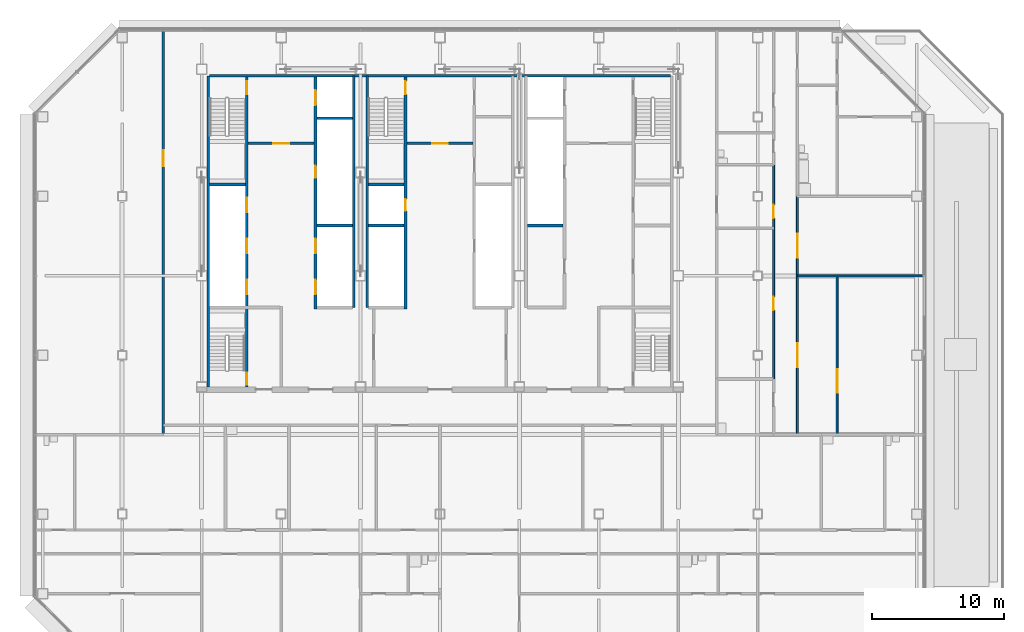
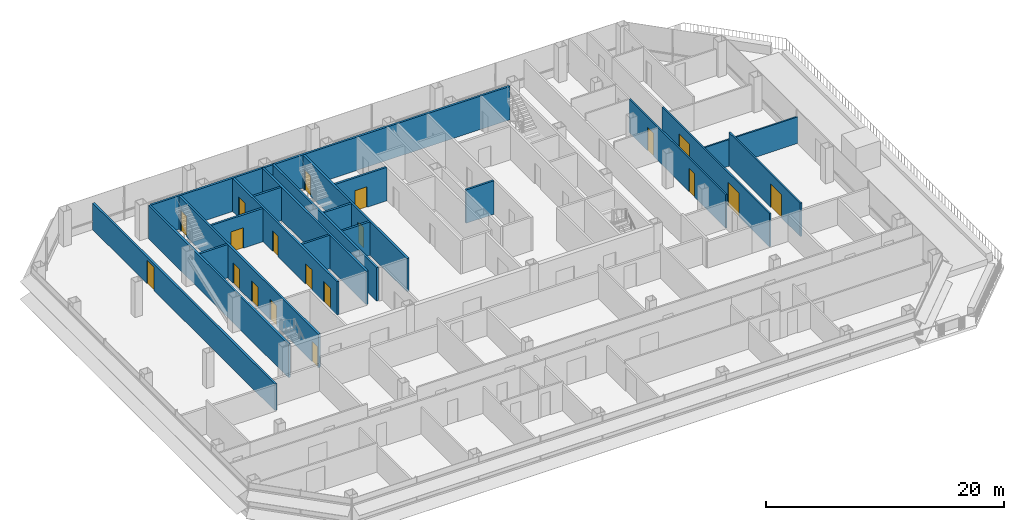
# One storey, part 19 of 28: 20 walls, 19 doors, 19 openings.
"""IFC4 building model written with IfcOpenShell, lengths in metres."""

from ifc_helpers import new_model, si_unit, direction, frame, frame_2d, origin, place, context, subcontext, project, spatial, rectangle, extrude, material, layer, layer_set, type_object, element, fill, save


model = new_model("IFC4")

# Units and contexts
model_context = context("Model", 3, precision=1e-05, world=origin(), true_north=direction((0.0, 1.0)))
body_context = subcontext(model_context, "Body", "Model", "MODEL_VIEW")
ifc_project = project(units=[si_unit("LENGTHUNIT", "METRE"), si_unit("AREAUNIT", "SQUARE_METRE"), si_unit("VOLUMEUNIT", "CUBIC_METRE"), si_unit("PLANEANGLEUNIT", "RADIAN"), si_unit("MASSUNIT", "GRAM", prefix="KILO")], contexts=[model_context])

# Site, building, storey
site_placement = place(None, origin())
site = spatial("IfcSite", under=ifc_project, at=site_placement, CompositionType="ELEMENT")
building_placement = place(site_placement, origin())
building = spatial("IfcBuilding", under=site, at=building_placement, Name="Sorahane Residences", CompositionType="ELEMENT")
storey_placement = place(building_placement, frame((0.0, 0.0, 96.199951171875)))
storey = spatial("IfcBuildingStorey", under=building, at=storey_placement, Name="L20", CompositionType="ELEMENT", Elevation=96.199951171875)

# Walls
ifc_material_1 = material(Name="Concrete C30", Category="concrete")
ifc_layer_1 = layer(ifc_material_1, 0.199951171875)
ifc_layer_set_1 = layer_set([ifc_layer_1], Name="Core face wall 200 EI 180")
wall_type_1 = type_object("IfcWallType", Name="Core face wall 200 EI 180", PredefinedType="SOLIDWALL", material=ifc_layer_set_1)
wall_1_placement = place(storey_placement, frame((6.5, 21.60009765625, 0.0), z_axis=(0.0, 0.0, 1.0), x_axis=(0.0, 1.0, 0.0)))
element("IfcWall", 1, at=wall_1_placement, inside=storey, type_object=wall_type_1, Name="L20 core face wall", PredefinedType="SOLIDWALL", context=body_context, shape_type="SweptSolid", body=[
    extrude(rectangle(XDim=23.5, YDim=0.199951171875, at=frame_2d((11.75, 0.0))), origin(), (0.0, 0.0, 1.0), 3.420166015625),
])
wall_2_placement = place(storey_placement, frame((6.60009765625, 45.10009765625, 0.0), z_axis=(0.0, 0.0, 1.0), x_axis=(1.0, 0.0, 0.0)))
element("IfcWall", 2, at=wall_2_placement, inside=storey, type_object=wall_type_1, Name="L20 core face wall", PredefinedType="SOLIDWALL", context=body_context, shape_type="SweptSolid", body=[
    extrude(rectangle(XDim=34.7998046875, YDim=0.199951171875, at=frame_2d((17.39990234375, 0.0))), origin(), (0.0, 0.0, 1.0), 3.420166015625),
])
for number, where, z_axis, x_axis, name in (
    (3, (17.5, 27.60009765625, 0.0), (0.0, 0.0, 1.0), (0.0, 1.0, 0.0), "L20 core face wall"),
    (4, (18.5, 27.60009765625, 0.0), (0.0, 0.0, 1.0), (0.0, 1.0, 0.0), "L20 core face wall"),
):
    element("IfcWall", number, at=place(storey_placement, frame(where, z_axis=z_axis, x_axis=x_axis)), inside=storey, type_object=wall_type_1, Name=name, PredefinedType="SOLIDWALL", context=body_context, shape_type="SweptSolid", body=[
        extrude(rectangle(XDim=17.5, YDim=0.199951171875, at=frame_2d((8.75, 0.0))), origin(), (0.0, 0.0, 1.0), 3.420166015625),
    ])

# Wall, opening, door
ifc_material_2 = material(Name="Concrete blockwork C20 wall", Category="masonry")
ifc_layer_2 = layer(ifc_material_2, 0.199951171875)
ifc_layer_set_2 = layer_set([ifc_layer_2], Name="Corridor wall 200 EI 120")
wall_type_2 = type_object("IfcWallType", Name="Corridor wall 200 EI 120", PredefinedType="SOLIDWALL", material=ifc_layer_set_2)
wall_3_placement = place(storey_placement, frame((3.10009765625, 18.0, 0.0), z_axis=(0.0, 0.0, 1.0), x_axis=(0.0, 1.0, 0.0)))
wall_3 = element("IfcWall", 5, at=wall_3_placement, inside=storey, type_object=wall_type_2, Name="L20 corridor wall", PredefinedType="SOLIDWALL", context=body_context, shape_type="SweptSolid", body=[
    extrude(rectangle(XDim=30.60009765625, YDim=0.199951171875, at=frame_2d((15.300048828125, 0.0))), origin(), (0.0, 0.0, 1.0), 2.719970703125),
])
opening_1_placement = place(wall_3_placement, frame((20.27001953125, 0.0, 0.0)))
opening_1 = element("IfcOpeningElement", 6, at=opening_1_placement, cuts=wall_3, Name="Opening L20-41", PredefinedType="OPENING", context=body_context, shape_type="SweptSolid", body=[
    extrude(rectangle(XDim=1.199951171875, YDim=2.39990234375, at=frame_2d((0.60009765625, 1.199951171875))), frame((0.0, 0.10986328125, 0.0), z_axis=(0.0, -1.0, 0.0), x_axis=(1.0, 0.0, 0.0)), (0.0, 0.0, 1.0), 0.219970703125),
])
ifc_material_3 = material(Name="Steel", Category="steel")
door_type_1 = type_object("IfcDoorType", Name="Lobby door 1200x2400 FD60", OperationType="NOTDEFINED", PredefinedType="DOOR", material=ifc_material_3)
door_1_placement = place(opening_1_placement, origin())
door_1 = element("IfcDoor", 7, at=door_1_placement, inside=storey, type_object=door_type_1, Name="Lobby door L20-41", OperationType="SINGLE_SWING_LEFT", OverallHeight=2.39990234375, OverallWidth=1.199951171875, PredefinedType="DOOR", context=body_context, shape_type="SweptSolid", body=[
    extrude(rectangle(XDim=1.199951171875, YDim=2.39990234375, at=frame_2d((0.60009765625, 1.199951171875))), frame((0.0, 0.02490234375, 0.0), z_axis=(0.0, -1.0, 0.0), x_axis=(1.0, 0.0, 0.0)), (0.0, 0.0, 1.0), 0.050048828125),
])
fill(opening_1, door_1)

ifc_material_4 = material(Name="Concrete C30", Category="concrete")
ifc_layer_3 = layer(ifc_material_4, 0.199951171875)
ifc_layer_set_3 = layer_set([ifc_layer_3], Name="Front room wall 200 EI 120")
wall_type_3 = type_object("IfcWallType", Name="Front room wall 200 EI 120", PredefinedType="PARTITIONING", material=ifc_layer_set_3)
wall_4_placement = place(storey_placement, frame((21.5, 40.0, 0.0), z_axis=(0.0, 0.0, 1.0), x_axis=(1.0, 0.0, 0.0)))
wall_4 = element("IfcWall", 8, at=wall_4_placement, inside=storey, type_object=wall_type_3, Name="L20 front room wall", PredefinedType="PARTITIONING", context=body_context, shape_type="SweptSolid", body=[
    extrude(rectangle(XDim=5.0, YDim=0.199951171875, at=frame_2d((2.5, 0.0))), origin(), (0.0, 0.0, 1.0), 3.420166015625),
])
opening_2_placement = place(wall_4_placement, frame((1.89990234375, 0.0, 0.0)))
opening_2 = element("IfcOpeningElement", 9, at=opening_2_placement, cuts=wall_4, Name="Opening L20-C09", PredefinedType="OPENING", context=body_context, shape_type="SweptSolid", body=[
    extrude(rectangle(XDim=1.199951171875, YDim=2.10009765625, at=frame_2d((0.60009765625, 1.050048828125))), frame((0.0, 0.10986328125, 0.0), z_axis=(0.0, -1.0, 0.0), x_axis=(1.0, 0.0, 0.0)), (0.0, 0.0, 1.0), 0.219970703125),
])
ifc_material_5 = material(Name="Steel", Category="steel")
door_type_2 = type_object("IfcDoorType", Name="Front room door 1200x2100 FD120", OperationType="NOTDEFINED", PredefinedType="DOOR", material=ifc_material_5)
door_2_placement = place(opening_2_placement, frame((1.199951171875, 0.0, 0.0), z_axis=(0.0, 0.0, 1.0), x_axis=(-1.0, 0.0, 0.0)))
door_2 = element("IfcDoor", 10, at=door_2_placement, inside=storey, type_object=door_type_2, Name="Front room door Stair S3 vestibule L20", OperationType="DOUBLE_DOOR_SINGLE_SWING", OverallHeight=2.10009765625, OverallWidth=1.199951171875, PredefinedType="DOOR", context=body_context, shape_type="SweptSolid", body=[
    extrude(rectangle(XDim=1.199951171875, YDim=2.10009765625, at=frame_2d((0.60009765625, 1.050048828125))), frame((0.0, 0.02490234375, 0.0), z_axis=(0.0, -1.0, 0.0), x_axis=(1.0, 0.0, 0.0)), (0.0, 0.0, 1.0), 0.050048828125),
])
fill(opening_2, door_2)

wall_5_placement = place(storey_placement, frame((9.5, 40.0, 0.0), z_axis=(0.0, 0.0, 1.0), x_axis=(1.0, 0.0, 0.0)))
wall_5 = element("IfcWall", 11, at=wall_5_placement, inside=storey, type_object=wall_type_3, Name="L20 front room wall", PredefinedType="PARTITIONING", context=body_context, shape_type="SweptSolid", body=[
    extrude(rectangle(XDim=5.0, YDim=0.199951171875, at=frame_2d((2.5, 0.0))), origin(), (0.0, 0.0, 1.0), 3.420166015625),
])
opening_3_placement = place(wall_5_placement, frame((1.89990234375, 0.0, 0.0)))
opening_3 = element("IfcOpeningElement", 12, at=opening_3_placement, cuts=wall_5, Name="Opening L20-C08", PredefinedType="OPENING", context=body_context, shape_type="SweptSolid", body=[
    extrude(rectangle(XDim=1.199951171875, YDim=2.10009765625, at=frame_2d((0.60009765625, 1.050048828125))), frame((0.0, 0.10986328125, 0.0), z_axis=(0.0, -1.0, 0.0), x_axis=(1.0, 0.0, 0.0)), (0.0, 0.0, 1.0), 0.219970703125),
])
door_3_placement = place(opening_3_placement, frame((1.199951171875, 0.0, 0.0), z_axis=(0.0, 0.0, 1.0), x_axis=(-1.0, 0.0, 0.0)))
door_3 = element("IfcDoor", 13, at=door_3_placement, inside=storey, type_object=door_type_2, Name="Front room door Firefighting lobby FF1 front room L20", OperationType="DOUBLE_DOOR_SINGLE_SWING", OverallHeight=2.10009765625, OverallWidth=1.199951171875, PredefinedType="DOOR", context=body_context, shape_type="SweptSolid", body=[
    extrude(rectangle(XDim=1.199951171875, YDim=2.10009765625, at=frame_2d((0.60009765625, 1.050048828125))), frame((0.0, 0.02490234375, 0.0), z_axis=(0.0, -1.0, 0.0), x_axis=(1.0, 0.0, 0.0)), (0.0, 0.0, 1.0), 0.050048828125),
])
fill(opening_3, door_3)

# Wall, openings, doors
ifc_material_6 = material(Name="Concrete C30", Category="concrete")
ifc_layer_4 = layer(ifc_material_6, 0.199951171875)
ifc_layer_set_4 = layer_set([ifc_layer_4], Name="Lift shaft wall 200 EI 120")
wall_type_4 = type_object("IfcWallType", Name="Lift shaft wall 200 EI 120", PredefinedType="SOLIDWALL", material=ifc_layer_set_4)
wall_6_placement = place(storey_placement, frame((14.60009765625, 27.5, 0.0), z_axis=(0.0, 0.0, 1.0), x_axis=(0.0, 1.0, 0.0)))
wall_6 = element("IfcWall", 14, at=wall_6_placement, inside=storey, type_object=wall_type_4, Name="L20 lift shaft wall", PredefinedType="SOLIDWALL", context=body_context, shape_type="SweptSolid", body=[
    extrude(rectangle(XDim=17.5, YDim=0.199951171875, at=frame_2d((8.75, 0.0))), origin(), (0.0, 0.0, 1.0), 3.420166015625),
])
opening_4_placement = place(wall_6_placement, frame((1.10009765625, 0.0, 0.0)))
opening_4 = element("IfcOpeningElement", 15, at=opening_4_placement, cuts=wall_6, Name="Opening L20-C12", PredefinedType="OPENING", context=body_context, shape_type="SweptSolid", body=[
    extrude(rectangle(XDim=1.10009765625, YDim=2.10009765625, at=frame_2d((0.550048828125, 1.050048828125))), frame((0.0, 0.10986328125, 0.0), z_axis=(0.0, -1.0, 0.0), x_axis=(1.0, 0.0, 0.0)), (0.0, 0.0, 1.0), 0.219970703125),
])
opening_5_placement = place(wall_6_placement, frame((4.199951171875, 0.0, 0.0)))
opening_5 = element("IfcOpeningElement", 16, at=opening_5_placement, cuts=wall_6, Name="Opening L20-C13", PredefinedType="OPENING", context=body_context, shape_type="SweptSolid", body=[
    extrude(rectangle(XDim=1.10009765625, YDim=2.10009765625, at=frame_2d((0.550048828125, 1.050048828125))), frame((0.0, 0.10986328125, 0.0), z_axis=(0.0, -1.0, 0.0), x_axis=(1.0, 0.0, 0.0)), (0.0, 0.0, 1.0), 0.219970703125),
])
opening_6_placement = place(wall_6_placement, frame((15.39990234375, 0.0, 0.0)))
opening_6 = element("IfcOpeningElement", 17, at=opening_6_placement, cuts=wall_6, Name="Opening L20-C14", PredefinedType="OPENING", context=body_context, shape_type="SweptSolid", body=[
    extrude(rectangle(XDim=1.10009765625, YDim=2.10009765625, at=frame_2d((0.550048828125, 1.050048828125))), frame((0.0, 0.10986328125, 0.0), z_axis=(0.0, -1.0, 0.0), x_axis=(1.0, 0.0, 0.0)), (0.0, 0.0, 1.0), 0.219970703125),
])
opening_7_placement = place(wall_6_placement, frame((9.89990234375, 0.0, 0.0)))
opening_7 = element("IfcOpeningElement", 18, at=opening_7_placement, cuts=wall_6, Name="Opening L20-C26", PredefinedType="OPENING", context=body_context, shape_type="SweptSolid", body=[
    extrude(rectangle(XDim=0.89990234375, YDim=2.10009765625, at=frame_2d((0.449951171875, 1.050048828125))), frame((0.0, 0.10986328125, 0.0), z_axis=(0.0, -1.0, 0.0), x_axis=(1.0, 0.0, 0.0)), (0.0, 0.0, 1.0), 0.219970703125),
])
ifc_material_7 = material(Name="Aluminium and stainless steel", Category="steel")
door_type_3 = type_object("IfcDoorType", Name="Lift landing door 1100x2100 E 60", OperationType="NOTDEFINED", PredefinedType="DOOR", material=ifc_material_7)
door_4_placement = place(opening_4_placement, origin())
door_4 = element("IfcDoor", 19, at=door_4_placement, inside=storey, type_object=door_type_3, Name="Lift landing door LR4 L20", OperationType="DOUBLE_DOOR_SLIDING", OverallHeight=2.10009765625, OverallWidth=1.10009765625, PredefinedType="DOOR", context=body_context, shape_type="SweptSolid", body=[
    extrude(rectangle(XDim=1.10009765625, YDim=2.10009765625, at=frame_2d((0.550048828125, 1.050048828125))), frame((0.0, 0.02490234375, 0.0), z_axis=(0.0, -1.0, 0.0), x_axis=(1.0, 0.0, 0.0)), (0.0, 0.0, 1.0), 0.050048828125),
])
fill(opening_4, door_4)
door_5_placement = place(opening_5_placement, origin())
door_5 = element("IfcDoor", 20, at=door_5_placement, inside=storey, type_object=door_type_3, Name="Lift landing door LR5 L20", OperationType="DOUBLE_DOOR_SLIDING", OverallHeight=2.10009765625, OverallWidth=1.10009765625, PredefinedType="DOOR", context=body_context, shape_type="SweptSolid", body=[
    extrude(rectangle(XDim=1.10009765625, YDim=2.10009765625, at=frame_2d((0.550048828125, 1.050048828125))), frame((0.0, 0.02490234375, 0.0), z_axis=(0.0, -1.0, 0.0), x_axis=(1.0, 0.0, 0.0)), (0.0, 0.0, 1.0), 0.050048828125),
])
fill(opening_5, door_5)
door_6_placement = place(opening_6_placement, origin())
door_6 = element("IfcDoor", 21, at=door_6_placement, inside=storey, type_object=door_type_3, Name="Lift landing door FF1 L20", OperationType="DOUBLE_DOOR_SLIDING", OverallHeight=2.10009765625, OverallWidth=1.10009765625, PredefinedType="DOOR", context=body_context, shape_type="SweptSolid", body=[
    extrude(rectangle(XDim=1.10009765625, YDim=2.10009765625, at=frame_2d((0.550048828125, 1.050048828125))), frame((0.0, 0.02490234375, 0.0), z_axis=(0.0, -1.0, 0.0), x_axis=(1.0, 0.0, 0.0)), (0.0, 0.0, 1.0), 0.050048828125),
])
fill(opening_6, door_6)
ifc_material_8 = material(Name="Steel", Category="steel")
door_type_4 = type_object("IfcDoorType", Name="Riser door 900x2100 FD120", OperationType="NOTDEFINED", PredefinedType="DOOR", material=ifc_material_8)
door_7_placement = place(opening_7_placement, origin())
door_7 = element("IfcDoor", 22, at=door_7_placement, inside=storey, type_object=door_type_4, Name="Riser door R1 L20", OperationType="SINGLE_SWING_LEFT", OverallHeight=2.10009765625, OverallWidth=0.89990234375, PredefinedType="DOOR", context=body_context, shape_type="SweptSolid", body=[
    extrude(rectangle(XDim=0.89990234375, YDim=2.10009765625, at=frame_2d((0.449951171875, 1.050048828125))), frame((0.0, 0.02490234375, 0.0), z_axis=(0.0, -1.0, 0.0), x_axis=(1.0, 0.0, 0.0)), (0.0, 0.0, 1.0), 0.050048828125),
])
fill(opening_7, door_7)

# Walls
for number, where, z_axis, x_axis, name in (
    (23, (14.699951171875, 33.800048828125, 0.0), (0.0, 0.0, 1.0), (1.0, 0.0, 0.0), "L20 lift shaft wall"),
    (24, (18.60009765625, 33.800048828125, 0.0), (0.0, 0.0, 1.0), (1.0, 0.0, 0.0), "L20 lift shaft wall"),
    (25, (14.699951171875, 41.89990234375, 0.0), (0.0, 0.0, 1.0), (1.0, 0.0, 0.0), "L20 lift shaft wall"),
):
    element("IfcWall", number, at=place(storey_placement, frame(where, z_axis=z_axis, x_axis=x_axis)), inside=storey, type_object=wall_type_4, Name=name, PredefinedType="SOLIDWALL", context=body_context, shape_type="SweptSolid", body=[
        extrude(rectangle(XDim=2.699951171875, YDim=0.199951171875, at=frame_2d((1.35009765625, 0.0))), origin(), (0.0, 0.0, 1.0), 3.420166015625),
    ])

# Wall, openings, doors
ifc_material_9 = material(Name="Gypsum board partition on steel studs", Category="steel")
ifc_layer_5 = layer(ifc_material_9, 0.14990234375)
ifc_layer_set_5 = layer_set([ifc_layer_5], Name="Partition 150 EI 90")
wall_type_5 = type_object("IfcWallType", Name="Partition 150 EI 90", PredefinedType="PARTITIONING", material=ifc_layer_set_5)
wall_7_placement = place(storey_placement, frame((49.199951171875, 22.199951171875, 0.0), z_axis=(0.0, 0.0, 1.0), x_axis=(0.0, 1.0, 0.0)))
wall_7 = element("IfcWall", 26, at=wall_7_placement, inside=storey, type_object=wall_type_5, Name="L20 partition", PredefinedType="PARTITIONING", context=body_context, shape_type="SweptSolid", body=[
    extrude(rectangle(XDim=16.199951171875, YDim=0.14990234375, at=frame_2d((8.10009765625, 0.0))), origin(), (0.0, 0.0, 1.0), 3.420166015625),
])
opening_8_placement = place(wall_7_placement, frame((12.14990234375, 0.0, 0.0)))
opening_8 = element("IfcOpeningElement", 27, at=opening_8_placement, cuts=wall_7, Name="Opening L20-26", PredefinedType="OPENING", context=body_context, shape_type="SweptSolid", body=[
    extrude(rectangle(XDim=1.0, YDim=2.39990234375, at=frame_2d((0.5, 1.199951171875))), frame((0.0, 0.0849609375, 0.0), z_axis=(0.0, -1.0, 0.0), x_axis=(1.0, 0.0, 0.0)), (0.0, 0.0, 1.0), 0.169921875),
])
opening_9_placement = place(wall_7_placement, frame((5.199951171875, 0.0, 0.0)))
opening_9 = element("IfcOpeningElement", 28, at=opening_9_placement, cuts=wall_7, Name="Opening L20-28", PredefinedType="OPENING", context=body_context, shape_type="SweptSolid", body=[
    extrude(rectangle(XDim=1.0, YDim=2.39990234375, at=frame_2d((0.5, 1.199951171875))), frame((0.0, 0.0849609375, 0.0), z_axis=(0.0, -1.0, 0.0), x_axis=(1.0, 0.0, 0.0)), (0.0, 0.0, 1.0), 0.169921875),
])
ifc_material_10 = material(Name="Timber veneered fire door", Category="wood")
door_type_5 = type_object("IfcDoorType", Name="Room door 1000x2400 FD30", OperationType="NOTDEFINED", PredefinedType="DOOR", material=ifc_material_10)
door_8_placement = place(opening_8_placement, frame((1.0, 0.0, 0.0), z_axis=(0.0, 0.0, 1.0), x_axis=(-1.0, 0.0, 0.0)))
door_8 = element("IfcDoor", 29, at=door_8_placement, inside=storey, type_object=door_type_5, Name="Room door L20-26", OperationType="SINGLE_SWING_LEFT", OverallHeight=2.39990234375, OverallWidth=1.0, PredefinedType="DOOR", context=body_context, shape_type="SweptSolid", body=[
    extrude(rectangle(XDim=1.0, YDim=2.39990234375, at=frame_2d((0.5, 1.199951171875))), frame((0.0, 0.02490234375, 0.0), z_axis=(0.0, -1.0, 0.0), x_axis=(1.0, 0.0, 0.0)), (0.0, 0.0, 1.0), 0.050048828125),
])
fill(opening_8, door_8)
door_9_placement = place(opening_9_placement, origin())
door_9 = element("IfcDoor", 30, at=door_9_placement, inside=storey, type_object=door_type_5, Name="Room door L20-28", OperationType="SINGLE_SWING_RIGHT", OverallHeight=2.39990234375, OverallWidth=1.0, PredefinedType="DOOR", context=body_context, shape_type="SweptSolid", body=[
    extrude(rectangle(XDim=1.0, YDim=2.39990234375, at=frame_2d((0.5, 1.199951171875))), frame((0.0, 0.02490234375, 0.0), z_axis=(0.0, -1.0, 0.0), x_axis=(1.0, 0.0, 0.0)), (0.0, 0.0, 1.0), 0.050048828125),
])
fill(opening_9, door_9)

wall_8_placement = place(storey_placement, frame((51.0, 18.0, 0.0), z_axis=(0.0, 0.0, 1.0), x_axis=(0.0, 1.0, 0.0)))
wall_8 = element("IfcWall", 31, at=wall_8_placement, inside=storey, type_object=wall_type_5, Name="L20 partition", PredefinedType="PARTITIONING", context=body_context, shape_type="SweptSolid", body=[
    extrude(rectangle(XDim=18.0, YDim=0.14990234375, at=frame_2d((9.0, 0.0))), origin(), (0.0, 0.0, 1.0), 3.420166015625),
])
opening_10_placement = place(wall_8_placement, frame((5.10009765625, 0.0, 0.0)))
opening_10 = element("IfcOpeningElement", 32, at=opening_10_placement, cuts=wall_8, Name="Opening L20-31", PredefinedType="OPENING", context=body_context, shape_type="SweptSolid", body=[
    extrude(rectangle(XDim=1.800048828125, YDim=2.39990234375, at=frame_2d((0.89990234375, 1.199951171875))), frame((0.0, 0.0849609375, 0.0), z_axis=(0.0, -1.0, 0.0), x_axis=(1.0, 0.0, 0.0)), (0.0, 0.0, 1.0), 0.169921875),
])
opening_11_placement = place(wall_8_placement, frame((13.360107421875, 0.0, 0.0)))
opening_11 = element("IfcOpeningElement", 33, at=opening_11_placement, cuts=wall_8, Name="Opening L20-32", PredefinedType="OPENING", context=body_context, shape_type="SweptSolid", body=[
    extrude(rectangle(XDim=1.800048828125, YDim=2.39990234375, at=frame_2d((0.89990234375, 1.199951171875))), frame((0.0, 0.0849609375, 0.0), z_axis=(0.0, -1.0, 0.0), x_axis=(1.0, 0.0, 0.0)), (0.0, 0.0, 1.0), 0.169921875),
])
ifc_material_11 = material(Name="Timber veneered fire door", Category="wood")
door_type_6 = type_object("IfcDoorType", Name="Double door 1800x2400 FD30", OperationType="NOTDEFINED", PredefinedType="DOOR", material=ifc_material_11)
door_10_placement = place(opening_10_placement, frame((1.800048828125, 0.0, 0.0), z_axis=(0.0, 0.0, 1.0), x_axis=(-1.0, 0.0, 0.0)))
door_10 = element("IfcDoor", 34, at=door_10_placement, inside=storey, type_object=door_type_6, Name="Double door L20-31", OperationType="SINGLE_SWING_RIGHT", OverallHeight=2.39990234375, OverallWidth=1.800048828125, PredefinedType="DOOR", context=body_context, shape_type="SweptSolid", body=[
    extrude(rectangle(XDim=1.800048828125, YDim=2.39990234375, at=frame_2d((0.89990234375, 1.199951171875))), frame((0.0, 0.02490234375, 0.0), z_axis=(0.0, -1.0, 0.0), x_axis=(1.0, 0.0, 0.0)), (0.0, 0.0, 1.0), 0.050048828125),
])
fill(opening_10, door_10)
door_11_placement = place(opening_11_placement, frame((1.800048828125, 0.0, 0.0), z_axis=(0.0, 0.0, 1.0), x_axis=(-1.0, 0.0, 0.0)))
door_11 = element("IfcDoor", 35, at=door_11_placement, inside=storey, type_object=door_type_6, Name="Double door L20-32", OperationType="SINGLE_SWING_LEFT", OverallHeight=2.39990234375, OverallWidth=1.800048828125, PredefinedType="DOOR", context=body_context, shape_type="SweptSolid", body=[
    extrude(rectangle(XDim=1.800048828125, YDim=2.39990234375, at=frame_2d((0.89990234375, 1.199951171875))), frame((0.0, 0.02490234375, 0.0), z_axis=(0.0, -1.0, 0.0), x_axis=(1.0, 0.0, 0.0)), (0.0, 0.0, 1.0), 0.050048828125),
])
fill(opening_11, door_11)

# Wall, opening, door
wall_9_placement = place(storey_placement, frame((54.0, 18.0, 0.0), z_axis=(0.0, 0.0, 1.0), x_axis=(0.0, 1.0, 0.0)))
wall_9 = element("IfcWall", 36, at=wall_9_placement, inside=storey, type_object=wall_type_5, Name="L20 partition", PredefinedType="PARTITIONING", context=body_context, shape_type="SweptSolid", body=[
    extrude(rectangle(XDim=12.0, YDim=0.14990234375, at=frame_2d((6.0, 0.0))), origin(), (0.0, 0.0, 1.0), 3.420166015625),
])
opening_12_placement = place(wall_9_placement, frame((3.159912109375, 0.0, 0.0)))
opening_12 = element("IfcOpeningElement", 37, at=opening_12_placement, cuts=wall_9, Name="Opening L20-34", PredefinedType="OPENING", context=body_context, shape_type="SweptSolid", body=[
    extrude(rectangle(XDim=1.800048828125, YDim=2.39990234375, at=frame_2d((0.89990234375, 1.199951171875))), frame((0.0, 0.0849609375, 0.0), z_axis=(0.0, -1.0, 0.0), x_axis=(1.0, 0.0, 0.0)), (0.0, 0.0, 1.0), 0.169921875),
])
door_12_placement = place(opening_12_placement, frame((1.800048828125, 0.0, 0.0), z_axis=(0.0, 0.0, 1.0), x_axis=(-1.0, 0.0, 0.0)))
door_12 = element("IfcDoor", 38, at=door_12_placement, inside=storey, type_object=door_type_6, Name="Double door L20-34", OperationType="SINGLE_SWING_LEFT", OverallHeight=2.39990234375, OverallWidth=1.800048828125, PredefinedType="DOOR", context=body_context, shape_type="SweptSolid", body=[
    extrude(rectangle(XDim=1.800048828125, YDim=2.39990234375, at=frame_2d((0.89990234375, 1.199951171875))), frame((0.0, 0.02490234375, 0.0), z_axis=(0.0, -1.0, 0.0), x_axis=(1.0, 0.0, 0.0)), (0.0, 0.0, 1.0), 0.050048828125),
])
fill(opening_12, door_12)

# Walls
wall_10_placement = place(storey_placement, frame((51.0, 30.0, 0.0), z_axis=(0.0, 0.0, 1.0), x_axis=(1.0, 0.0, 0.0)))
element("IfcWall", 39, at=wall_10_placement, inside=storey, type_object=wall_type_5, Name="L20 partition", PredefinedType="PARTITIONING", context=body_context, shape_type="SweptSolid", body=[
    extrude(rectangle(XDim=9.60009765625, YDim=0.14990234375, at=frame_2d((4.800048828125, 0.0))), origin(), (0.0, 0.0, 1.0), 2.719970703125),
])
ifc_material_12 = material(Name="Concrete C30", Category="concrete")
ifc_layer_6 = layer(ifc_material_12, 0.199951171875)
ifc_layer_set_6 = layer_set([ifc_layer_6], Name="Riser shaft wall 200 EI 120")
wall_type_6 = type_object("IfcWallType", Name="Riser shaft wall 200 EI 120", PredefinedType="SOLIDWALL", material=ifc_layer_set_6)
wall_11_placement = place(storey_placement, frame((30.60009765625, 33.800048828125, 0.0), z_axis=(0.0, 0.0, 1.0), x_axis=(1.0, 0.0, 0.0)))
element("IfcWall", 40, at=wall_11_placement, inside=storey, type_object=wall_type_6, Name="L20 riser wall", PredefinedType="SOLIDWALL", context=body_context, shape_type="SweptSolid", body=[
    extrude(rectangle(XDim=2.699951171875, YDim=0.199951171875, at=frame_2d((1.35009765625, 0.0))), origin(), (0.0, 0.0, 1.0), 3.420166015625),
])

# Wall, openings, doors
ifc_material_13 = material(Name="Concrete C30", Category="concrete")
ifc_layer_7 = layer(ifc_material_13, 0.199951171875)
ifc_layer_set_7 = layer_set([ifc_layer_7], Name="Stair enclosure wall 200 EI 120")
wall_type_7 = type_object("IfcWallType", Name="Stair enclosure wall 200 EI 120", PredefinedType="SOLIDWALL", material=ifc_layer_set_7)
wall_12_placement = place(storey_placement, frame((21.39990234375, 27.5, 0.0), z_axis=(0.0, 0.0, 1.0), x_axis=(0.0, 1.0, 0.0)))
wall_12 = element("IfcWall", 41, at=wall_12_placement, inside=storey, type_object=wall_type_7, Name="L20 stair enclosure wall", PredefinedType="SOLIDWALL", context=body_context, shape_type="SweptSolid", body=[
    extrude(rectangle(XDim=17.5, YDim=0.199951171875, at=frame_2d((8.75, 0.0))), origin(), (0.0, 0.0, 1.0), 3.420166015625),
])
opening_13_placement = place(wall_12_placement, frame((16.199951171875, 0.0, 0.0)))
opening_13 = element("IfcOpeningElement", 42, at=opening_13_placement, cuts=wall_12, Name="Opening L20-C23", PredefinedType="OPENING", context=body_context, shape_type="SweptSolid", body=[
    extrude(rectangle(XDim=1.0, YDim=2.10009765625, at=frame_2d((0.5, 1.050048828125))), frame((0.0, 0.10986328125, 0.0), z_axis=(0.0, -1.0, 0.0), x_axis=(1.0, 0.0, 0.0)), (0.0, 0.0, 1.0), 0.219970703125),
])
opening_14_placement = place(wall_12_placement, frame((7.39990234375, 0.0, 0.0)))
opening_14 = element("IfcOpeningElement", 43, at=opening_14_placement, cuts=wall_12, Name="Opening L20-C28", PredefinedType="OPENING", context=body_context, shape_type="SweptSolid", body=[
    extrude(rectangle(XDim=0.89990234375, YDim=2.10009765625, at=frame_2d((0.449951171875, 1.050048828125))), frame((0.0, 0.10986328125, 0.0), z_axis=(0.0, -1.0, 0.0), x_axis=(1.0, 0.0, 0.0)), (0.0, 0.0, 1.0), 0.219970703125),
])
door_13_placement = place(opening_14_placement, frame((0.89990234375, 0.0, 0.0), z_axis=(0.0, 0.0, 1.0), x_axis=(-1.0, 0.0, 0.0)))
door_13 = element("IfcDoor", 44, at=door_13_placement, inside=storey, type_object=door_type_4, Name="Riser door R3 L20", OperationType="SINGLE_SWING_LEFT", OverallHeight=2.10009765625, OverallWidth=0.89990234375, PredefinedType="DOOR", context=body_context, shape_type="SweptSolid", body=[
    extrude(rectangle(XDim=0.89990234375, YDim=2.10009765625, at=frame_2d((0.449951171875, 1.050048828125))), frame((0.0, 0.02490234375, 0.0), z_axis=(0.0, -1.0, 0.0), x_axis=(1.0, 0.0, 0.0)), (0.0, 0.0, 1.0), 0.050048828125),
])
fill(opening_14, door_13)
ifc_material_14 = material(Name="Steel", Category="steel")
door_type_7 = type_object("IfcDoorType", Name="Stair door 1000x2100 FD120", OperationType="NOTDEFINED", PredefinedType="DOOR", material=ifc_material_14)
door_14_placement = place(opening_13_placement, origin())
door_14 = element("IfcDoor", 45, at=door_14_placement, inside=storey, type_object=door_type_7, Name="Stair door S3 L20", OperationType="SINGLE_SWING_LEFT", OverallHeight=2.10009765625, OverallWidth=1.0, PredefinedType="DOOR", context=body_context, shape_type="SweptSolid", body=[
    extrude(rectangle(XDim=1.0, YDim=2.10009765625, at=frame_2d((0.5, 1.050048828125))), frame((0.0, 0.02490234375, 0.0), z_axis=(0.0, -1.0, 0.0), x_axis=(1.0, 0.0, 0.0)), (0.0, 0.0, 1.0), 0.050048828125),
])
fill(opening_13, door_14)

wall_13_placement = place(storey_placement, frame((9.39990234375, 21.60009765625, 0.0), z_axis=(0.0, 0.0, 1.0), x_axis=(0.0, 1.0, 0.0)))
wall_13 = element("IfcWall", 46, at=wall_13_placement, inside=storey, type_object=wall_type_7, Name="L20 stair enclosure wall", PredefinedType="SOLIDWALL", context=body_context, shape_type="SweptSolid", body=[
    extrude(rectangle(XDim=23.39990234375, YDim=0.199951171875, at=frame_2d((11.699951171875, 0.0))), origin(), (0.0, 0.0, 1.0), 3.420166015625),
])
opening_15_placement = place(wall_13_placement, frame((7.0, 0.0, 0.0)))
opening_15 = element("IfcOpeningElement", 47, at=opening_15_placement, cuts=wall_13, Name="Opening L20-C15", PredefinedType="OPENING", context=body_context, shape_type="SweptSolid", body=[
    extrude(rectangle(XDim=1.10009765625, YDim=2.10009765625, at=frame_2d((0.550048828125, 1.050048828125))), frame((0.0, 0.10986328125, 0.0), z_axis=(0.0, -1.0, 0.0), x_axis=(1.0, 0.0, 0.0)), (0.0, 0.0, 1.0), 0.219970703125),
])
opening_16_placement = place(wall_13_placement, frame((10.10009765625, 0.0, 0.0)))
opening_16 = element("IfcOpeningElement", 48, at=opening_16_placement, cuts=wall_13, Name="Opening L20-C16", PredefinedType="OPENING", context=body_context, shape_type="SweptSolid", body=[
    extrude(rectangle(XDim=1.10009765625, YDim=2.10009765625, at=frame_2d((0.550048828125, 1.050048828125))), frame((0.0, 0.10986328125, 0.0), z_axis=(0.0, -1.0, 0.0), x_axis=(1.0, 0.0, 0.0)), (0.0, 0.0, 1.0), 0.219970703125),
])
opening_17_placement = place(wall_13_placement, frame((13.199951171875, 0.0, 0.0)))
opening_17 = element("IfcOpeningElement", 49, at=opening_17_placement, cuts=wall_13, Name="Opening L20-C17", PredefinedType="OPENING", context=body_context, shape_type="SweptSolid", body=[
    extrude(rectangle(XDim=1.10009765625, YDim=2.10009765625, at=frame_2d((0.550048828125, 1.050048828125))), frame((0.0, 0.10986328125, 0.0), z_axis=(0.0, -1.0, 0.0), x_axis=(1.0, 0.0, 0.0)), (0.0, 0.0, 1.0), 0.219970703125),
])
opening_18_placement = place(wall_13_placement, frame((22.10009765625, 0.0, 0.0)))
opening_18 = element("IfcOpeningElement", 50, at=opening_18_placement, cuts=wall_13, Name="Opening L20-C21", PredefinedType="OPENING", context=body_context, shape_type="SweptSolid", body=[
    extrude(rectangle(XDim=1.0, YDim=2.10009765625, at=frame_2d((0.5, 1.050048828125))), frame((0.0, 0.10986328125, 0.0), z_axis=(0.0, -1.0, 0.0), x_axis=(1.0, 0.0, 0.0)), (0.0, 0.0, 1.0), 0.219970703125),
])
opening_19_placement = place(wall_13_placement, frame((0.175048828125, 0.0, 0.0)))
opening_19 = element("IfcOpeningElement", 51, at=opening_19_placement, cuts=wall_13, Name="Opening L20-C24", PredefinedType="OPENING", context=body_context, shape_type="SweptSolid", body=[
    extrude(rectangle(XDim=0.89990234375, YDim=2.10009765625, at=frame_2d((0.449951171875, 1.050048828125))), frame((0.0, 0.10986328125, 0.0), z_axis=(0.0, -1.0, 0.0), x_axis=(1.0, 0.0, 0.0)), (0.0, 0.0, 1.0), 0.219970703125),
])
door_15_placement = place(opening_15_placement, origin())
door_15 = element("IfcDoor", 52, at=door_15_placement, inside=storey, type_object=door_type_3, Name="Lift landing door LR1 L20", OperationType="DOUBLE_DOOR_SLIDING", OverallHeight=2.10009765625, OverallWidth=1.10009765625, PredefinedType="DOOR", context=body_context, shape_type="SweptSolid", body=[
    extrude(rectangle(XDim=1.10009765625, YDim=2.10009765625, at=frame_2d((0.550048828125, 1.050048828125))), frame((0.0, 0.02490234375, 0.0), z_axis=(0.0, -1.0, 0.0), x_axis=(1.0, 0.0, 0.0)), (0.0, 0.0, 1.0), 0.050048828125),
])
fill(opening_15, door_15)
door_16_placement = place(opening_16_placement, origin())
door_16 = element("IfcDoor", 53, at=door_16_placement, inside=storey, type_object=door_type_3, Name="Lift landing door LR2 L20", OperationType="DOUBLE_DOOR_SLIDING", OverallHeight=2.10009765625, OverallWidth=1.10009765625, PredefinedType="DOOR", context=body_context, shape_type="SweptSolid", body=[
    extrude(rectangle(XDim=1.10009765625, YDim=2.10009765625, at=frame_2d((0.550048828125, 1.050048828125))), frame((0.0, 0.02490234375, 0.0), z_axis=(0.0, -1.0, 0.0), x_axis=(1.0, 0.0, 0.0)), (0.0, 0.0, 1.0), 0.050048828125),
])
fill(opening_16, door_16)
door_17_placement = place(opening_17_placement, origin())
door_17 = element("IfcDoor", 54, at=door_17_placement, inside=storey, type_object=door_type_3, Name="Lift landing door LR3 L20", OperationType="DOUBLE_DOOR_SLIDING", OverallHeight=2.10009765625, OverallWidth=1.10009765625, PredefinedType="DOOR", context=body_context, shape_type="SweptSolid", body=[
    extrude(rectangle(XDim=1.10009765625, YDim=2.10009765625, at=frame_2d((0.550048828125, 1.050048828125))), frame((0.0, 0.02490234375, 0.0), z_axis=(0.0, -1.0, 0.0), x_axis=(1.0, 0.0, 0.0)), (0.0, 0.0, 1.0), 0.050048828125),
])
fill(opening_17, door_17)
door_18_placement = place(opening_18_placement, origin())
door_18 = element("IfcDoor", 55, at=door_18_placement, inside=storey, type_object=door_type_7, Name="Stair door S1 L20", OperationType="SINGLE_SWING_LEFT", OverallHeight=2.10009765625, OverallWidth=1.0, PredefinedType="DOOR", context=body_context, shape_type="SweptSolid", body=[
    extrude(rectangle(XDim=1.0, YDim=2.10009765625, at=frame_2d((0.5, 1.050048828125))), frame((0.0, 0.02490234375, 0.0), z_axis=(0.0, -1.0, 0.0), x_axis=(1.0, 0.0, 0.0)), (0.0, 0.0, 1.0), 0.050048828125),
])
fill(opening_18, door_18)
ifc_material_15 = material(Name="Steel", Category="steel")
door_type_8 = type_object("IfcDoorType", Name="Stair door 900x2100 FD120", OperationType="NOTDEFINED", PredefinedType="DOOR", material=ifc_material_15)
door_19_placement = place(opening_19_placement, origin())
door_19 = element("IfcDoor", 56, at=door_19_placement, inside=storey, type_object=door_type_8, Name="Stair door S4 L20", OperationType="SINGLE_SWING_LEFT", OverallHeight=2.10009765625, OverallWidth=0.89990234375, PredefinedType="DOOR", context=body_context, shape_type="SweptSolid", body=[
    extrude(rectangle(XDim=0.89990234375, YDim=2.10009765625, at=frame_2d((0.449951171875, 1.050048828125))), frame((0.0, 0.02490234375, 0.0), z_axis=(0.0, -1.0, 0.0), x_axis=(1.0, 0.0, 0.0)), (0.0, 0.0, 1.0), 0.050048828125),
])
fill(opening_19, door_19)

# Walls
for number, where, z_axis, x_axis, name in (
    (57, (18.60009765625, 36.89990234375, 0.0), (0.0, 0.0, 1.0), (1.0, 0.0, 0.0), "L20 stair enclosure wall"),
    (58, (6.60009765625, 36.89990234375, 0.0), (0.0, 0.0, 1.0), (1.0, 0.0, 0.0), "L20 stair enclosure wall"),
):
    element("IfcWall", number, at=place(storey_placement, frame(where, z_axis=z_axis, x_axis=x_axis)), inside=storey, type_object=wall_type_7, Name=name, PredefinedType="SOLIDWALL", context=body_context, shape_type="SweptSolid", body=[
        extrude(rectangle(XDim=2.699951171875, YDim=0.199951171875, at=frame_2d((1.35009765625, 0.0))), origin(), (0.0, 0.0, 1.0), 3.420166015625),
    ])

save(model, "model.ifc")
